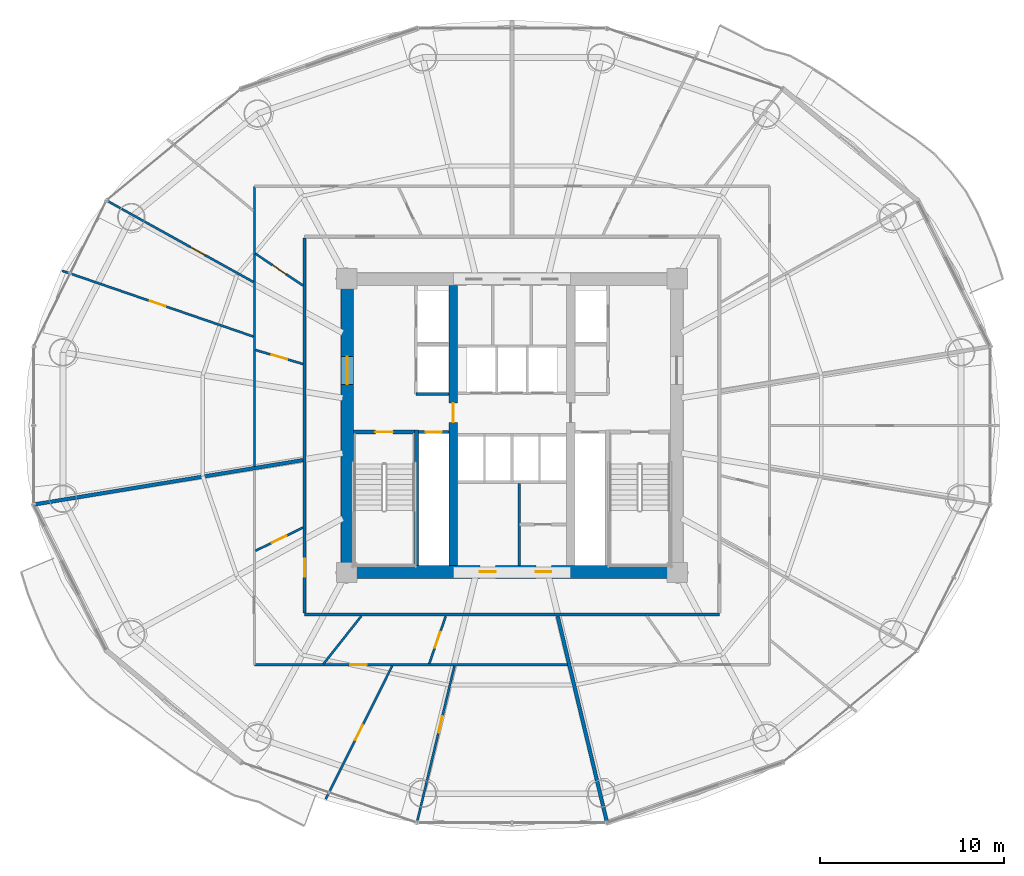
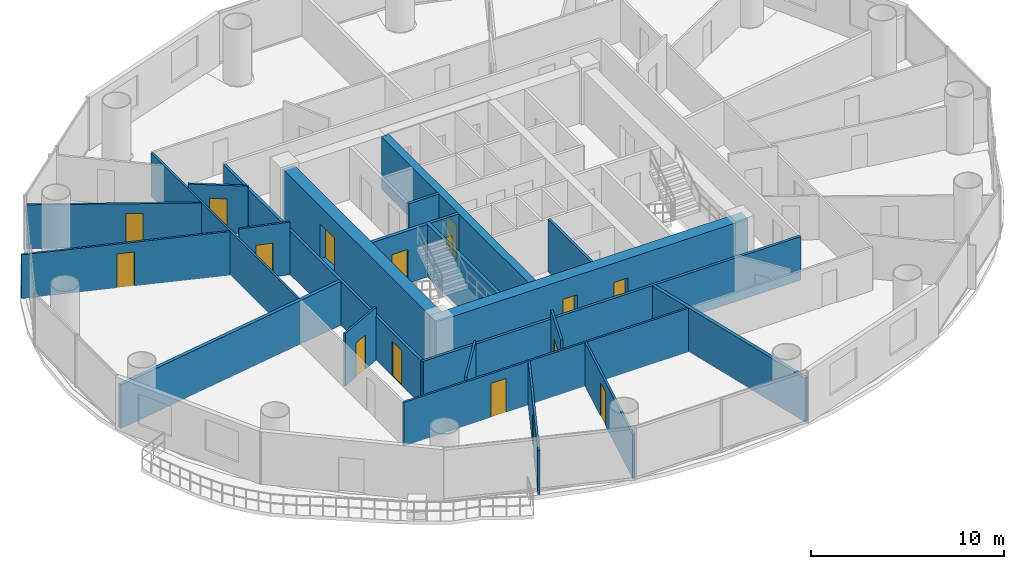
# One storey, part 22 of 29: 23 walls, 16 doors, 16 openings.
"""IFC4 building model written with IfcOpenShell, lengths in metres."""

from ifc_helpers import new_model, si_unit, direction, frame, frame_2d, origin, place, context, subcontext, project, spatial, rectangle, extrude, source, transform, mapped, material, layer, layer_set, type_object, element, fill, save


model = new_model("IFC4")

# Units and contexts
model_context = context("Model", 3, precision=1e-05, world=origin(), true_north=direction((-0.2419218956, 0.970295726276)))
body_context = subcontext(model_context, "Body", "Model", "MODEL_VIEW")
ifc_project = project(units=[si_unit("LENGTHUNIT", "METRE"), si_unit("AREAUNIT", "SQUARE_METRE"), si_unit("VOLUMEUNIT", "CUBIC_METRE"), si_unit("PLANEANGLEUNIT", "RADIAN"), si_unit("MASSUNIT", "GRAM", prefix="KILO")], contexts=[model_context])

# Site, building, storey
site_placement = place(None, origin())
site = spatial("IfcSite", under=ifc_project, at=site_placement, CompositionType="ELEMENT")
building_placement = place(site_placement, origin())
building = spatial("IfcBuilding", under=site, at=building_placement, Name="Cobrevalo Terracotta Tower", CompositionType="ELEMENT")
storey_placement = place(building_placement, frame((0.0, 0.0, 79.800048828125)))
storey = spatial("IfcBuildingStorey", under=building, at=storey_placement, Name="L20", CompositionType="ELEMENT", Elevation=79.800048828125)

# Wall, openings, doors
ifc_material_1 = material(Name="Concrete C60", Category="concrete")
ifc_layer_1 = layer(ifc_material_1, 0.699951171875)
ifc_layer_set_1 = layer_set([ifc_layer_1], Name="Concrete C60")
wall_type_1 = type_object("IfcWallType", Name="Core shear wall 700 mm Concrete C60", PredefinedType="SHEAR", material=ifc_layer_set_1)
wall_1_placement = place(storey_placement, frame((28.675048828125, 18.824951171875, 0.0), z_axis=(0.0, 0.0, 1.0), x_axis=(1.0, 0.0, 0.0)))
wall_1 = element("IfcWall", 1, at=wall_1_placement, inside=storey, type_object=wall_type_1, Name="L20 south core shear wall", PredefinedType="SHEAR", context=body_context, shape_type="SweptSolid", body=[
    extrude(rectangle(XDim=18.64990234375, YDim=0.699951171875, at=frame_2d((9.324951171875, 0.0))), origin(), (0.0, 0.0, 1.0), 3.324951171875),
])
opening_1_placement = place(wall_1_placement, frame((7.577392578125, 0.0, 0.0)))
opening_1 = element("IfcOpeningElement", 2, at=opening_1_placement, cuts=wall_1, Name="Opening ID-22", PredefinedType="OPENING", context=body_context, shape_type="SweptSolid", body=[
    extrude(rectangle(XDim=0.85009765625, YDim=2.10009765625, at=frame_2d((0.425048828125, 1.050048828125))), frame((0.0, 0.35986328125, 0.0), z_axis=(0.0, -1.0, 0.0), x_axis=(1.0, 0.0, 0.0)), (0.0, 0.0, 1.0), 0.719970703125),
])
opening_2_placement = place(wall_1_placement, frame((10.62255859375, 0.0, 0.0)))
opening_2 = element("IfcOpeningElement", 3, at=opening_2_placement, cuts=wall_1, Name="Opening ID-22", PredefinedType="OPENING", context=body_context, shape_type="SweptSolid", body=[
    extrude(rectangle(XDim=0.85009765625, YDim=2.10009765625, at=frame_2d((0.425048828125, 1.050048828125))), frame((0.0, 0.35986328125, 0.0), z_axis=(0.0, -1.0, 0.0), x_axis=(1.0, 0.0, 0.0)), (0.0, 0.0, 1.0), 0.719970703125),
])
ifc_material_2 = material(Name="Powder-coated steel", Category="steel")
door_type_1 = type_object("IfcDoorType", Name="Riser shaft & meter closet fire access door 850x2100 EI 60", OperationType="NOTDEFINED", PredefinedType="DOOR", material=ifc_material_2)
shared_shape_1 = source(origin(), body_context, "Body", "SweptSolid", [
    extrude(rectangle(XDim=0.85009765625, YDim=2.10009765625, at=frame_2d((0.425048828125, 1.050048828125))), frame((0.0, 0.02490234375, 0.0), z_axis=(0.0, -1.0, 0.0), x_axis=(1.0, 0.0, 0.0)), (0.0, 0.0, 1.0), 0.050048828125),
])
door_1_placement = place(opening_1_placement, origin())
door_1 = element("IfcDoor", 4, at=door_1_placement, inside=storey, type_object=door_type_1, Name="L20 core south plant door Floor AHU Mechanical Plant", OperationType="SINGLE_SWING_RIGHT", OverallHeight=2.10009765625, OverallWidth=0.85009765625, PredefinedType="DOOR", context=body_context, shape_type="MappedRepresentation", body=[
    mapped(shared_shape_1, transform((0.0, 0.0, 0.0), scale=1.0)),
])
fill(opening_1, door_1)
door_2_placement = place(opening_2_placement, origin())
door_2 = element("IfcDoor", 5, at=door_2_placement, inside=storey, type_object=door_type_1, Name="L20 core south plant door Sprinkler Valve Plant", OperationType="SINGLE_SWING_RIGHT", OverallHeight=2.10009765625, OverallWidth=0.85009765625, PredefinedType="DOOR", context=body_context, shape_type="MappedRepresentation", body=[
    mapped(shared_shape_1, transform((0.0, 0.0, 0.0), scale=1.0)),
])
fill(opening_2, door_2)

# Wall, opening, door
wall_2_placement = place(storey_placement, frame((29.02490234375, 19.175048828125, 0.0), z_axis=(0.0, 0.0, 1.0), x_axis=(0.0, 1.0, 0.0)))
wall_2 = element("IfcWall", 6, at=wall_2_placement, inside=storey, type_object=wall_type_1, Name="L20 west core shear wall", PredefinedType="SHEAR", context=body_context, shape_type="SweptSolid", body=[
    extrude(rectangle(XDim=15.25, YDim=0.699951171875, at=frame_2d((7.625, 0.0))), origin(), (0.0, 0.0, 1.0), 3.324951171875),
])
opening_3_placement = place(wall_2_placement, frame((9.875, 0.0, 0.0)))
opening_3 = element("IfcOpeningElement", 7, at=opening_3_placement, cuts=wall_2, Name="Opening ID-14", PredefinedType="OPENING", context=body_context, shape_type="SweptSolid", body=[
    extrude(rectangle(XDim=1.5, YDim=2.199951171875, at=frame_2d((0.75, 1.10009765625))), frame((0.0, 0.35986328125, 0.0), z_axis=(0.0, -1.0, 0.0), x_axis=(1.0, 0.0, 0.0)), (0.0, 0.0, 1.0), 0.719970703125),
])
ifc_material_3 = material(Name="Galvanized fire-rated steel", Category="steel")
door_type_2 = type_object("IfcDoorType", Name="Core cross-lobby double fire door 1500x2200 EI 90", OperationType="NOTDEFINED", PredefinedType="DOOR", material=ifc_material_3)
shared_shape_2 = source(origin(), body_context, "Body", "SweptSolid", [
    extrude(rectangle(XDim=1.5, YDim=2.199951171875, at=frame_2d((0.75, 1.10009765625))), frame((0.0, 0.02490234375, 0.0), z_axis=(0.0, -1.0, 0.0), x_axis=(1.0, 0.0, 0.0)), (0.0, 0.0, 1.0), 0.050048828125),
])
door_3_placement = place(opening_3_placement, origin())
door_3 = element("IfcDoor", 8, at=door_3_placement, inside=storey, type_object=door_type_2, Name="L20 west firefighting lobby entrance door", OperationType="DOUBLE_DOOR_SINGLE_SWING", OverallHeight=2.199951171875, OverallWidth=1.5, PredefinedType="DOOR", context=body_context, shape_type="MappedRepresentation", body=[
    mapped(shared_shape_2, transform((0.0, 0.0, 0.0), scale=1.0)),
])
fill(opening_3, door_3)

# Walls
ifc_material_4 = material(Name="Gypsum board on steel stud", Category="steel")
ifc_layer_2 = layer(ifc_material_4, 0.159912109375)
ifc_layer_set_2 = layer_set([ifc_layer_2], Name="Gypsum board on steel stud")
wall_type_2 = type_object("IfcWallType", Name="Fire-rated corridor acoustic partition wall 160 mm", PredefinedType="PARTITIONING", material=ifc_layer_set_2)
wall_3_placement = place(storey_placement, frame((32.77001953125, 28.52001953125, 0.0), z_axis=(0.0, 0.0, 1.0), x_axis=(1.0, 0.0, 0.0)))
element("IfcWall", 9, at=wall_3_placement, inside=storey, type_object=wall_type_2, Name="L20 interior partition IW-L20-FF1-S", PredefinedType="PARTITIONING", context=body_context, shape_type="SweptSolid", body=[
    extrude(rectangle(XDim=1.804931640625, YDim=0.159912109375, at=frame_2d((0.90234375, 0.0))), origin(), (0.0, 0.0, 1.0), 3.324951171875),
])
wall_4_placement = place(storey_placement, frame((26.695068359375, 16.4951171875, 0.0), z_axis=(0.0, 0.0, 1.0), x_axis=(1.0, 0.0, 0.0)))
element("IfcWall", 10, at=wall_4_placement, inside=storey, type_object=wall_type_2, Name="L20 interior partition IW-L20-COR-S", PredefinedType="PARTITIONING", context=body_context, shape_type="SweptSolid", body=[
    extrude(rectangle(XDim=22.60986328125, YDim=0.159912109375, at=frame_2d((11.304931640625, 0.0))), origin(), (0.0, 0.0, 1.0), 2.766845703125),
])

# Wall, opening, door
wall_5_placement = place(storey_placement, frame((26.695068359375, 16.574951171875, 0.0), z_axis=(0.0, 0.0, 1.0), x_axis=(0.0, 1.0, 0.0)))
wall_5 = element("IfcWall", 11, at=wall_5_placement, inside=storey, type_object=wall_type_2, Name="L20 interior partition IW-L20-COR-W", PredefinedType="PARTITIONING", context=body_context, shape_type="SweptSolid", body=[
    extrude(rectangle(XDim=20.449951171875, YDim=0.159912109375, at=frame_2d((10.22509765625, 0.0))), origin(), (0.0, 0.0, 1.0), 2.766845703125),
])
opening_4_placement = place(wall_5_placement, frame((1.977294921875, 0.0, 0.0)))
opening_4 = element("IfcOpeningElement", 12, at=opening_4_placement, cuts=wall_5, Name="Opening ID-05", PredefinedType="OPENING", context=body_context, shape_type="SweptSolid", body=[
    extrude(rectangle(XDim=0.97998046875, YDim=2.199951171875, at=frame_2d((0.489990234375, 1.10009765625))), frame((0.0, 0.08984375, 0.0), z_axis=(0.0, -1.0, 0.0), x_axis=(1.0, 0.0, 0.0)), (0.0, 0.0, 1.0), 0.179931640625),
])
ifc_material_5 = material(Name="Solid hardwood timber", Category="wood")
door_type_3 = type_object("IfcDoorType", Name="Residence entrance fire-rated acoustic timber door 980x2200 EI 60", OperationType="NOTDEFINED", PredefinedType="DOOR", material=ifc_material_5)
shared_shape_3 = source(origin(), body_context, "Body", "SweptSolid", [
    extrude(rectangle(XDim=0.97998046875, YDim=2.199951171875, at=frame_2d((0.489990234375, 1.10009765625))), frame((0.0, 0.02490234375, 0.0), z_axis=(0.0, -1.0, 0.0), x_axis=(1.0, 0.0, 0.0)), (0.0, 0.0, 1.0), 0.050048828125),
])
door_4_placement = place(opening_4_placement, origin())
door_4 = element("IfcDoor", 13, at=door_4_placement, inside=storey, type_object=door_type_3, Name="Flat L20C fire-rated apartment entrance door", OperationType="SINGLE_SWING_LEFT", OverallHeight=2.199951171875, OverallWidth=0.97998046875, PredefinedType="DOOR", context=body_context, shape_type="MappedRepresentation", body=[
    mapped(shared_shape_3, transform((0.0, 0.0, 0.0), scale=1.0)),
])
fill(opening_4, door_4)

ifc_layer_3 = layer(ifc_material_4, 0.179931640625)
ifc_layer_set_3 = layer_set([ifc_layer_3], Name="Gypsum board on steel stud")
wall_type_3 = type_object("IfcWallType", Name="Fire-rated shaft & lobby acoustic partition wall 180 mm", PredefinedType="PARTITIONING", material=ifc_layer_set_3)
wall_6_placement = place(storey_placement, frame((32.89990234375, 26.449951171875, 0.0), z_axis=(0.0, 0.0, 1.0), x_axis=(1.0, 0.0, 0.0)))
wall_6 = element("IfcWall", 14, at=wall_6_placement, inside=storey, type_object=wall_type_3, Name="L20 interior partition IW-L20-RSW-N", PredefinedType="PARTITIONING", context=body_context, shape_type="SweptSolid", body=[
    extrude(rectangle(XDim=1.675048828125, YDim=0.179931640625, at=frame_2d((0.83740234375, 0.0))), origin(), (0.0, 0.0, 1.0), 3.324951171875),
])
opening_5_placement = place(wall_6_placement, frame((0.41259765625, 0.0, 0.0)))
opening_5 = element("IfcOpeningElement", 15, at=opening_5_placement, cuts=wall_6, Name="Opening ID-22", PredefinedType="OPENING", context=body_context, shape_type="SweptSolid", body=[
    extrude(rectangle(XDim=0.85009765625, YDim=2.10009765625, at=frame_2d((0.425048828125, 1.050048828125))), frame((0.0, 0.10009765625, 0.0), z_axis=(0.0, -1.0, 0.0), x_axis=(1.0, 0.0, 0.0)), (0.0, 0.0, 1.0), 0.199951171875),
])
door_5_placement = place(opening_5_placement, origin())
door_5 = element("IfcDoor", 16, at=door_5_placement, inside=storey, type_object=door_type_1, Name="L20 riser access door RSW", OperationType="SINGLE_SWING_LEFT", OverallHeight=2.10009765625, OverallWidth=0.85009765625, PredefinedType="DOOR", context=body_context, shape_type="MappedRepresentation", body=[
    mapped(shared_shape_1, transform((0.0, 0.0, 0.0), scale=1.0)),
])
fill(opening_5, door_5)

# Walls
ifc_material_6 = material(Name="Autoclaved aerated concrete block", Category="concrete")
ifc_layer_4 = layer(ifc_material_6, 0.199951171875)
ifc_layer_set_4 = layer_set([ifc_layer_4], Name="Autoclaved aerated concrete block")
wall_type_4 = type_object("IfcWallType", Name="Fire-rated stair, shaft & demising masonry wall 200 mm", PredefinedType="PARTITIONING", material=ifc_layer_set_4)
wall_7_placement = place(storey_placement, frame((26.614990234375, 24.91845703125, 0.0), z_axis=(0.0, 0.0, 1.0), x_axis=(-0.986618789677, -0.163044054958, 0.0)))
element("IfcWall", 17, at=wall_7_placement, inside=storey, type_object=wall_type_4, Name="L20 interior partition IW-L20-DEM-3", PredefinedType="PARTITIONING", context=body_context, shape_type="SweptSolid", body=[
    extrude(rectangle(XDim=14.78662109375, YDim=0.199951171875, at=frame_2d((7.393310546875, 0.0))), origin(), (0.0, 0.0, 1.0), 2.766845703125),
])
wall_8_placement = place(storey_placement, frame((40.486328125, 16.4150390625, 0.0), z_axis=(0.0, 0.0, 1.0), x_axis=(0.232829417917, -0.972517589636, 0.0)))
element("IfcWall", 18, at=wall_8_placement, inside=storey, type_object=wall_type_4, Name="L20 interior partition IW-L20-DEM-4", PredefinedType="PARTITIONING", context=body_context, shape_type="SweptSolid", body=[
    extrude(rectangle(XDim=11.501953125, YDim=0.199951171875, at=frame_2d((5.7509765625, 0.0))), origin(), (0.0, 0.0, 1.0), 2.766845703125),
])

# Wall, opening, door
ifc_material_7 = material(Name="Concrete C55", Category="concrete")
ifc_layer_5 = layer(ifc_material_7, 0.449951171875)
ifc_layer_set_5 = layer_set([ifc_layer_5], Name="Concrete C55")
wall_type_5 = type_object("IfcWallType", Name="Internal core shear web wall 450 mm Concrete C55", PredefinedType="SHEAR", material=ifc_layer_set_5)
wall_9_placement = place(storey_placement, frame((34.800048828125, 19.175048828125, 0.0), z_axis=(0.0, 0.0, 1.0), x_axis=(0.0, 1.0, 0.0)))
wall_9 = element("IfcWall", 19, at=wall_9_placement, inside=storey, type_object=wall_type_5, Name="L20 internal core shear wall WEB-W", PredefinedType="SHEAR", context=body_context, shape_type="SweptSolid", body=[
    extrude(rectangle(XDim=15.25, YDim=0.449951171875, at=frame_2d((7.625, 0.0))), origin(), (0.0, 0.0, 1.0), 3.324951171875),
])
opening_6_placement = place(wall_9_placement, frame((7.800048828125, 0.0, 0.0)))
opening_6 = element("IfcOpeningElement", 20, at=opening_6_placement, cuts=wall_9, Name="Opening ID-11", PredefinedType="OPENING", context=body_context, shape_type="SweptSolid", body=[
    extrude(rectangle(XDim=1.050048828125, YDim=2.14990234375, at=frame_2d((0.52490234375, 1.074951171875))), frame((0.0, 0.23486328125, 0.0), z_axis=(0.0, -1.0, 0.0), x_axis=(1.0, 0.0, 0.0)), (0.0, 0.0, 1.0), 0.469970703125),
])
door_type_4 = type_object("IfcDoorType", Name="Core concourse cross fire door 1050x2150 EI 90", OperationType="NOTDEFINED", PredefinedType="DOOR", material=ifc_material_3)
shared_shape_4 = source(origin(), body_context, "Body", "SweptSolid", [
    extrude(rectangle(XDim=1.050048828125, YDim=2.14990234375, at=frame_2d((0.52490234375, 1.074951171875))), frame((0.0, 0.02490234375, 0.0), z_axis=(0.0, -1.0, 0.0), x_axis=(1.0, 0.0, 0.0)), (0.0, 0.0, 1.0), 0.050048828125),
])
door_6_placement = place(opening_6_placement, origin())
door_6 = element("IfcDoor", 21, at=door_6_placement, inside=storey, type_object=door_type_4, Name="L20 west core concourse cross door", OperationType="SINGLE_SWING_LEFT", OverallHeight=2.14990234375, OverallWidth=1.050048828125, PredefinedType="DOOR", context=body_context, shape_type="MappedRepresentation", body=[
    mapped(shared_shape_4, transform((0.0, 0.0, 0.0), scale=1.0)),
])
fill(opening_6, door_6)

# Walls
ifc_layer_6 = layer(ifc_material_6, 0.139892578125)
ifc_layer_set_6 = layer_set([ifc_layer_6], Name="Autoclaved aerated concrete block")
wall_type_6 = type_object("IfcWallType", Name="Moisture-resistant wet-room & core service partition 140 mm", PredefinedType="PARTITIONING", material=ifc_layer_set_6)
wall_10_placement = place(storey_placement, frame((38.39990234375, 19.175048828125, 0.0), z_axis=(0.0, 0.0, 1.0), x_axis=(0.0, 1.0, 0.0)))
element("IfcWall", 22, at=wall_10_placement, inside=storey, type_object=wall_type_6, Name="L20 interior partition IW-L20-KVS-L1", PredefinedType="PARTITIONING", context=body_context, shape_type="SweptSolid", body=[
    extrude(rectangle(XDim=4.46484375, YDim=0.139892578125, at=frame_2d((2.232421875, 0.0))), origin(), (0.0, 0.0, 1.0), 3.324951171875),
])
ifc_layer_7 = layer(ifc_material_4, 0.1201171875)
ifc_layer_set_7 = layer_set([ifc_layer_7], Name="Gypsum board on steel stud")
wall_type_7 = type_object("IfcWallType", Name="Residential internal acoustic stud partition 120 mm", PredefinedType="PARTITIONING", material=ifc_layer_set_7)
wall_11_placement = place(storey_placement, frame((23.965087890625, 24.58251953125, 0.0), z_axis=(0.0, 0.0, 1.0), x_axis=(0.0, 1.0, 0.0)))
element("IfcWall", 23, at=wall_11_placement, inside=storey, type_object=wall_type_7, Name="L20 interior partition IW-L20-U2-RING0_0", PredefinedType="PARTITIONING", context=body_context, shape_type="SweptSolid", body=[
    extrude(rectangle(XDim=15.25244140625, YDim=0.1201171875, at=frame_2d((7.626220703125, 0.0))), origin(), (0.0, 0.0, 1.0), 2.766845703125),
])

# Wall, opening, door
wall_12_placement = place(storey_placement, frame((23.910888671875, 34.62158203125, 0.0), z_axis=(0.0, 0.0, 1.0), x_axis=(-0.874324904351, 0.485341077626, 0.0)))
wall_12 = element("IfcWall", 24, at=wall_12_placement, inside=storey, type_object=wall_type_7, Name="L20 interior partition IW-L20-U2-ORAD2M1", PredefinedType="PARTITIONING", context=body_context, shape_type="SweptSolid", body=[
    extrude(rectangle(XDim=9.065673828125, YDim=0.1201171875, at=frame_2d((4.53271484375, 0.0))), origin(), (0.0, 0.0, 1.0), 2.766845703125),
])
opening_7_placement = place(wall_12_placement, frame((3.015625, 0.0, 0.0)))
opening_7 = element("IfcOpeningElement", 25, at=opening_7_placement, cuts=wall_12, Name="Opening ID-12", PredefinedType="OPENING", context=body_context, shape_type="SweptSolid", body=[
    extrude(rectangle(XDim=0.89990234375, YDim=2.14990234375, at=frame_2d((0.449951171875, 1.074951171875))), frame((0.0, 0.070068359375, 0.0), z_axis=(0.0, -1.0, 0.0), x_axis=(1.0, 0.0, 0.0)), (0.0, 0.0, 1.0), 0.14013671875),
])
ifc_material_8 = material(Name="Engineered timber", Category="wood")
door_type_5 = type_object("IfcDoorType", Name="Internal residence & suite timber door 900x2150", OperationType="NOTDEFINED", PredefinedType="DOOR", material=ifc_material_8)
shared_shape_5 = source(origin(), body_context, "Body", "SweptSolid", [
    extrude(rectangle(XDim=0.89990234375, YDim=2.14990234375, at=frame_2d((0.449951171875, 1.074951171875))), frame((0.0, 0.02490234375, 0.0), z_axis=(0.0, -1.0, 0.0), x_axis=(1.0, 0.0, 0.0)), (0.0, 0.0, 1.0), 0.050048828125),
])
door_7_placement = place(opening_7_placement, origin())
door_7 = element("IfcDoor", 26, at=door_7_placement, inside=storey, type_object=door_type_5, Name="Flat L20B Principal Guest Bedroom internal door", OperationType="SINGLE_SWING_LEFT", OverallHeight=2.14990234375, OverallWidth=0.89990234375, PredefinedType="DOOR", context=body_context, shape_type="MappedRepresentation", body=[
    mapped(shared_shape_5, transform((0.0, 0.0, 0.0), scale=1.0)),
])
fill(opening_7, door_7)

wall_13_placement = place(storey_placement, frame((23.90625, 31.650146484375, 0.0), z_axis=(0.0, 0.0, 1.0), x_axis=(-0.945573120726, 0.32540970078, 0.0)))
wall_13 = element("IfcWall", 27, at=wall_13_placement, inside=storey, type_object=wall_type_7, Name="L20 interior partition IW-L20-U2-ORAD2", PredefinedType="PARTITIONING", context=body_context, shape_type="SweptSolid", body=[
    extrude(rectangle(XDim=11.02197265625, YDim=0.1201171875, at=frame_2d((5.510986328125, 0.0))), origin(), (0.0, 0.0, 1.0), 2.766845703125),
])
opening_8_placement = place(wall_13_placement, frame((5.06103515625, 0.0, 0.0)))
opening_8 = element("IfcOpeningElement", 28, at=opening_8_placement, cuts=wall_13, Name="Opening ID-12", PredefinedType="OPENING", context=body_context, shape_type="SweptSolid", body=[
    extrude(rectangle(XDim=0.89990234375, YDim=2.14990234375, at=frame_2d((0.449951171875, 1.074951171875))), frame((0.0, 0.070068359375, 0.0), z_axis=(0.0, -1.0, 0.0), x_axis=(1.0, 0.0, 0.0)), (0.0, 0.0, 1.0), 0.14013671875),
])
door_8_placement = place(opening_8_placement, origin())
door_8 = element("IfcDoor", 29, at=door_8_placement, inside=storey, type_object=door_type_5, Name="Flat L20B Penthouse Family Lounge internal door", OperationType="SINGLE_SWING_RIGHT", OverallHeight=2.14990234375, OverallWidth=0.89990234375, PredefinedType="DOOR", context=body_context, shape_type="MappedRepresentation", body=[
    mapped(shared_shape_5, transform((0.0, 0.0, 0.0), scale=1.0)),
])
fill(opening_8, door_8)

wall_14_placement = place(storey_placement, frame((26.614990234375, 34.426513671875, 0.0), z_axis=(0.0, 0.0, 1.0), x_axis=(-0.830799215213, 0.556572245088, 0.0)))
wall_14 = element("IfcWall", 30, at=wall_14_placement, inside=storey, type_object=wall_type_7, Name="L20 interior partition IW-L20-U2-IRAD2", PredefinedType="PARTITIONING", context=body_context, shape_type="SweptSolid", body=[
    extrude(rectangle(XDim=3.127685546875, YDim=0.1201171875, at=frame_2d((1.56396484375, 0.0))), origin(), (0.0, 0.0, 1.0), 3.00390625),
])
opening_9_placement = place(wall_14_placement, frame((1.11376953125, 0.0, 0.0)))
opening_9 = element("IfcOpeningElement", 31, at=opening_9_placement, cuts=wall_14, Name="Opening ID-12", PredefinedType="OPENING", context=body_context, shape_type="SweptSolid", body=[
    extrude(rectangle(XDim=0.89990234375, YDim=2.14990234375, at=frame_2d((0.449951171875, 1.074951171875))), frame((0.0, 0.070068359375, 0.0), z_axis=(0.0, -1.0, 0.0), x_axis=(1.0, 0.0, 0.0)), (0.0, 0.0, 1.0), 0.14013671875),
])
door_9_placement = place(opening_9_placement, origin())
door_9 = element("IfcDoor", 32, at=door_9_placement, inside=storey, type_object=door_type_5, Name="Flat L20B Kitchen internal door", OperationType="SINGLE_SWING_RIGHT", OverallHeight=2.14990234375, OverallWidth=0.89990234375, PredefinedType="DOOR", context=body_context, shape_type="MappedRepresentation", body=[
    mapped(shared_shape_5, transform((0.0, 0.0, 0.0), scale=1.0)),
])
fill(opening_9, door_9)

wall_15_placement = place(storey_placement, frame((26.614990234375, 30.15380859375, 0.0), z_axis=(0.0, 0.0, 1.0), x_axis=(-0.959264672883, 0.282508915537, 0.0)))
wall_15 = element("IfcWall", 33, at=wall_15_placement, inside=storey, type_object=wall_type_7, Name="L20 interior partition IW-L20-U2-IRAD3", PredefinedType="PARTITIONING", context=body_context, shape_type="SweptSolid", body=[
    extrude(rectangle(XDim=2.70068359375, YDim=0.1201171875, at=frame_2d((1.350341796875, 0.0))), origin(), (0.0, 0.0, 1.0), 3.324951171875),
])
opening_10_placement = place(wall_15_placement, frame((0.900390625, 0.0, 0.0)))
opening_10 = element("IfcOpeningElement", 34, at=opening_10_placement, cuts=wall_15, Name="Opening ID-12", PredefinedType="OPENING", context=body_context, shape_type="SweptSolid", body=[
    extrude(rectangle(XDim=0.89990234375, YDim=2.14990234375, at=frame_2d((0.449951171875, 1.074951171875))), frame((0.0, 0.070068359375, 0.0), z_axis=(0.0, -1.0, 0.0), x_axis=(1.0, 0.0, 0.0)), (0.0, 0.0, 1.0), 0.14013671875),
])
door_10_placement = place(opening_10_placement, origin())
door_10 = element("IfcDoor", 35, at=door_10_placement, inside=storey, type_object=door_type_5, Name="Flat L20B Private Wellness Room internal door", OperationType="SINGLE_SWING_LEFT", OverallHeight=2.14990234375, OverallWidth=0.89990234375, PredefinedType="DOOR", context=body_context, shape_type="MappedRepresentation", body=[
    mapped(shared_shape_5, transform((0.0, 0.0, 0.0), scale=1.0)),
])
fill(opening_10, door_10)

wall_16_placement = place(storey_placement, frame((41.018798828125, 13.764892578125, 0.0), z_axis=(0.0, 0.0, 1.0), x_axis=(-1.0, 0.0, 0.0)))
wall_16 = element("IfcWall", 36, at=wall_16_placement, inside=storey, type_object=wall_type_7, Name="L20 interior partition IW-L20-U3-RING0_0", PredefinedType="PARTITIONING", context=body_context, shape_type="SweptSolid", body=[
    extrude(rectangle(XDim=17.0537109375, YDim=0.1201171875, at=frame_2d((8.52685546875, 0.0))), origin(), (0.0, 0.0, 1.0), 2.766845703125),
])
opening_11_placement = place(wall_16_placement, frame((10.932861328125, 0.0, 0.0)))
opening_11 = element("IfcOpeningElement", 37, at=opening_11_placement, cuts=wall_16, Name="Opening ID-12", PredefinedType="OPENING", context=body_context, shape_type="SweptSolid", body=[
    extrude(rectangle(XDim=0.89990234375, YDim=2.14990234375, at=frame_2d((0.449951171875, 1.074951171875))), frame((0.0, 0.070068359375, 0.0), z_axis=(0.0, -1.0, 0.0), x_axis=(1.0, 0.0, 0.0)), (0.0, 0.0, 1.0), 0.14013671875),
])
door_11_placement = place(opening_11_placement, frame((0.89990234375, 0.0, 0.0), z_axis=(0.0, 0.0, 1.0), x_axis=(-1.0, 0.0, 0.0)))
door_11 = element("IfcDoor", 38, at=door_11_placement, inside=storey, type_object=door_type_5, Name="Flat L20C Kitchen internal door", OperationType="SINGLE_SWING_RIGHT", OverallHeight=2.14990234375, OverallWidth=0.89990234375, PredefinedType="DOOR", context=body_context, shape_type="MappedRepresentation", body=[
    mapped(shared_shape_5, transform((0.0, 0.0, 0.0), scale=1.0)),
])
fill(opening_11, door_11)

wall_17_placement = place(storey_placement, frame((31.4736328125, 13.70947265625, 0.0), z_axis=(0.0, 0.0, 1.0), x_axis=(-0.446179583353, -0.894943450392, 0.0)))
wall_17 = element("IfcWall", 39, at=wall_17_placement, inside=storey, type_object=wall_type_7, Name="L20 interior partition IW-L20-U3-ORAD1", PredefinedType="PARTITIONING", context=body_context, shape_type="SweptSolid", body=[
    extrude(rectangle(XDim=8.12451171875, YDim=0.1201171875, at=frame_2d((4.062255859375, 0.0))), origin(), (0.0, 0.0, 1.0), 2.766845703125),
])
opening_12_placement = place(wall_17_placement, frame((3.6123046875, 0.0, 0.0)))
opening_12 = element("IfcOpeningElement", 40, at=opening_12_placement, cuts=wall_17, Name="Opening ID-12", PredefinedType="OPENING", context=body_context, shape_type="SweptSolid", body=[
    extrude(rectangle(XDim=0.89990234375, YDim=2.14990234375, at=frame_2d((0.449951171875, 1.074951171875))), frame((0.0, 0.070068359375, 0.0), z_axis=(0.0, -1.0, 0.0), x_axis=(1.0, 0.0, 0.0)), (0.0, 0.0, 1.0), 0.14013671875),
])
door_12_placement = place(opening_12_placement, origin())
door_12 = element("IfcDoor", 41, at=door_12_placement, inside=storey, type_object=door_type_5, Name="Flat L20C Master Bedroom internal door", OperationType="SINGLE_SWING_RIGHT", OverallHeight=2.14990234375, OverallWidth=0.89990234375, PredefinedType="DOOR", context=body_context, shape_type="MappedRepresentation", body=[
    mapped(shared_shape_5, transform((0.0, 0.0, 0.0), scale=1.0)),
])
fill(opening_12, door_12)

wall_18_placement = place(storey_placement, frame((34.86474609375, 13.70458984375, 0.0), z_axis=(0.0, 0.0, 1.0), x_axis=(-0.23282725047, -0.97251810854, 0.0)))
wall_18 = element("IfcWall", 42, at=wall_18_placement, inside=storey, type_object=wall_type_7, Name="L20 interior partition IW-L20-U3-ORAD2M1", PredefinedType="PARTITIONING", context=body_context, shape_type="SweptSolid", body=[
    extrude(rectangle(XDim=8.71484375, YDim=0.1201171875, at=frame_2d((4.357421875, 0.0))), origin(), (0.0, 0.0, 1.0), 2.766845703125),
])
opening_13_placement = place(wall_18_placement, frame((2.83056640625, 0.0, 0.0)))
opening_13 = element("IfcOpeningElement", 43, at=opening_13_placement, cuts=wall_18, Name="Opening ID-12", PredefinedType="OPENING", context=body_context, shape_type="SweptSolid", body=[
    extrude(rectangle(XDim=0.89990234375, YDim=2.14990234375, at=frame_2d((0.449951171875, 1.074951171875))), frame((0.0, 0.070068359375, 0.0), z_axis=(0.0, -1.0, 0.0), x_axis=(1.0, 0.0, 0.0)), (0.0, 0.0, 1.0), 0.14013671875),
])
door_13_placement = place(opening_13_placement, origin())
door_13 = element("IfcDoor", 44, at=door_13_placement, inside=storey, type_object=door_type_5, Name="Flat L20C Penthouse Family Lounge internal door", OperationType="SINGLE_SWING_LEFT", OverallHeight=2.14990234375, OverallWidth=0.89990234375, PredefinedType="DOOR", context=body_context, shape_type="MappedRepresentation", body=[
    mapped(shared_shape_5, transform((0.0, 0.0, 0.0), scale=1.0)),
])
fill(opening_13, door_13)

wall_19_placement = place(storey_placement, frame((26.614990234375, 21.2412109375, 0.0), z_axis=(0.0, 0.0, 1.0), x_axis=(-0.898615592274, -0.438736842906, 0.0)))
wall_19 = element("IfcWall", 45, at=wall_19_placement, inside=storey, type_object=wall_type_7, Name="L20 interior partition IW-L20-U3-IRAD1", PredefinedType="PARTITIONING", context=body_context, shape_type="SweptSolid", body=[
    extrude(rectangle(XDim=2.886962890625, YDim=0.1201171875, at=frame_2d((1.443359375, 0.0))), origin(), (0.0, 0.0, 1.0), 3.324951171875),
])
opening_14_placement = place(wall_19_placement, frame((1.013427734375, 0.0, 0.0)))
opening_14 = element("IfcOpeningElement", 46, at=opening_14_placement, cuts=wall_19, Name="Opening ID-19", PredefinedType="OPENING", context=body_context, shape_type="SweptSolid", body=[
    extrude(rectangle(XDim=0.860107421875, YDim=2.14990234375, at=frame_2d((0.43017578125, 1.074951171875))), frame((0.0, 0.070068359375, 0.0), z_axis=(0.0, -1.0, 0.0), x_axis=(1.0, 0.0, 0.0)), (0.0, 0.0, 1.0), 0.14013671875),
])
ifc_material_9 = material(Name="Moisture-sealed timber", Category="wood")
door_type_6 = type_object("IfcDoorType", Name="Suite bathroom internal timber door 860x2150", OperationType="NOTDEFINED", PredefinedType="DOOR", material=ifc_material_9)
shared_shape_6 = source(origin(), body_context, "Body", "SweptSolid", [
    extrude(rectangle(XDim=0.860107421875, YDim=2.14990234375, at=frame_2d((0.43017578125, 1.074951171875))), frame((0.0, 0.02490234375, 0.0), z_axis=(0.0, -1.0, 0.0), x_axis=(1.0, 0.0, 0.0)), (0.0, 0.0, 1.0), 0.050048828125),
])
door_14_placement = place(opening_14_placement, frame((0.860107421875, 0.0, 0.0), z_axis=(0.0, 0.0, 1.0), x_axis=(-1.0, 0.0, 0.0)))
door_14 = element("IfcDoor", 47, at=door_14_placement, inside=storey, type_object=door_type_6, Name="Flat L20C Primary Bathroom internal door", OperationType="SINGLE_SWING_RIGHT", OverallHeight=2.14990234375, OverallWidth=0.860107421875, PredefinedType="DOOR", context=body_context, shape_type="MappedRepresentation", body=[
    mapped(shared_shape_6, transform((0.0, 0.0, 0.0), scale=1.0)),
])
fill(opening_14, door_14)

# Wall
wall_20_placement = place(storey_placement, frame((29.78662109375, 16.4150390625, 0.0), z_axis=(0.0, 0.0, 1.0), x_axis=(-0.62033143471, -0.784339793145, 0.0)))
element("IfcWall", 48, at=wall_20_placement, inside=storey, type_object=wall_type_7, Name="L20 interior partition IW-L20-U3-IRAD2", PredefinedType="PARTITIONING", context=body_context, shape_type="SweptSolid", body=[
    extrude(rectangle(XDim=3.316650390625, YDim=0.1201171875, at=frame_2d((1.658203125, 0.0))), origin(), (0.0, 0.0, 1.0), 3.00390625),
])

# Wall, opening, door
wall_21_placement = place(storey_placement, frame((34.3916015625, 16.4150390625, 0.0), z_axis=(0.0, 0.0, 1.0), x_axis=(-0.328268661855, -0.94458439837, 0.0)))
wall_21 = element("IfcWall", 49, at=wall_21_placement, inside=storey, type_object=wall_type_7, Name="L20 interior partition IW-L20-U3-IRAD3", PredefinedType="PARTITIONING", context=body_context, shape_type="SweptSolid", body=[
    extrude(rectangle(XDim=2.74365234375, YDim=0.1201171875, at=frame_2d((1.371826171875, 0.0))), origin(), (0.0, 0.0, 1.0), 3.324951171875),
])
opening_15_placement = place(wall_21_placement, frame((0.921630859375, 0.0, 0.0)))
opening_15 = element("IfcOpeningElement", 50, at=opening_15_placement, cuts=wall_21, Name="Opening ID-12", PredefinedType="OPENING", context=body_context, shape_type="SweptSolid", body=[
    extrude(rectangle(XDim=0.89990234375, YDim=2.14990234375, at=frame_2d((0.449951171875, 1.074951171875))), frame((0.0, 0.070068359375, 0.0), z_axis=(0.0, -1.0, 0.0), x_axis=(1.0, 0.0, 0.0)), (0.0, 0.0, 1.0), 0.14013671875),
])
door_15_placement = place(opening_15_placement, origin())
door_15 = element("IfcDoor", 51, at=door_15_placement, inside=storey, type_object=door_type_5, Name="Flat L20C Private Wellness Room internal door", OperationType="SINGLE_SWING_LEFT", OverallHeight=2.14990234375, OverallWidth=0.89990234375, PredefinedType="DOOR", context=body_context, shape_type="MappedRepresentation", body=[
    mapped(shared_shape_5, transform((0.0, 0.0, 0.0), scale=1.0)),
])
fill(opening_15, door_15)

# Wall
ifc_material_10 = material(Name="Concrete C50", Category="concrete")
ifc_layer_8 = layer(ifc_material_10, 0.199951171875)
ifc_layer_set_8 = layer_set([ifc_layer_8], Name="Concrete C50")
wall_type_8 = type_object("IfcWallType", Name="Structural core & podium stair-shaft RC wall 200 mm Concrete C50", PredefinedType="SOLIDWALL", material=ifc_layer_set_8)
wall_22_placement = place(storey_placement, frame((32.794921875, 19.175048828125, 0.0), z_axis=(0.0, 0.0, 1.0), x_axis=(0.0, 1.0, 0.0)))
element("IfcWall", 52, at=wall_22_placement, inside=storey, type_object=wall_type_8, Name="L20 ST-1 east structural shaft wall", PredefinedType="SOLIDWALL", context=body_context, shape_type="SweptSolid", body=[
    extrude(rectangle(XDim=7.375, YDim=0.199951171875, at=frame_2d((3.6875, 0.0))), origin(), (0.0, 0.0, 1.0), 3.324951171875),
])

# Wall, opening, door
wall_23_placement = place(storey_placement, frame((29.375, 26.449951171875, 0.0), z_axis=(0.0, 0.0, 1.0), x_axis=(1.0, 0.0, 0.0)))
wall_23 = element("IfcWall", 53, at=wall_23_placement, inside=storey, type_object=wall_type_8, Name="L20 ST-1 north structural shaft wall", PredefinedType="SOLIDWALL", context=body_context, shape_type="SweptSolid", body=[
    extrude(rectangle(XDim=3.320068359375, YDim=0.199951171875, at=frame_2d((1.66015625, 0.0))), origin(), (0.0, 0.0, 1.0), 3.324951171875),
])
opening_16_placement = place(wall_23_placement, frame((1.18505859375, 0.0, 0.0)))
opening_16 = element("IfcOpeningElement", 54, at=opening_16_placement, cuts=wall_23, Name="Opening ID-04", PredefinedType="OPENING", context=body_context, shape_type="SweptSolid", body=[
    extrude(rectangle(XDim=0.949951171875, YDim=2.14990234375, at=frame_2d((0.47509765625, 1.074951171875))), frame((0.0, 0.10986328125, 0.0), z_axis=(0.0, -1.0, 0.0), x_axis=(1.0, 0.0, 0.0)), (0.0, 0.0, 1.0), 0.219970703125),
])
door_type_7 = type_object("IfcDoorType", Name="Stair & firefighting lobby fire door 950x2150 EI 90", OperationType="NOTDEFINED", PredefinedType="DOOR", material=ifc_material_3)
shared_shape_7 = source(origin(), body_context, "Body", "SweptSolid", [
    extrude(rectangle(XDim=0.949951171875, YDim=2.14990234375, at=frame_2d((0.47509765625, 1.074951171875))), frame((0.0, 0.02490234375, 0.0), z_axis=(0.0, -1.0, 0.0), x_axis=(1.0, 0.0, 0.0)), (0.0, 0.0, 1.0), 0.050048828125),
])
door_16_placement = place(opening_16_placement, origin())
door_16 = element("IfcDoor", 55, at=door_16_placement, inside=storey, type_object=door_type_7, Name="L20 protected stair ST1 fire door", OperationType="SINGLE_SWING_LEFT", OverallHeight=2.14990234375, OverallWidth=0.949951171875, PredefinedType="DOOR", context=body_context, shape_type="MappedRepresentation", body=[
    mapped(shared_shape_7, transform((0.0, 0.0, 0.0), scale=1.0)),
])
fill(opening_16, door_16)

save(model, "model.ifc")
